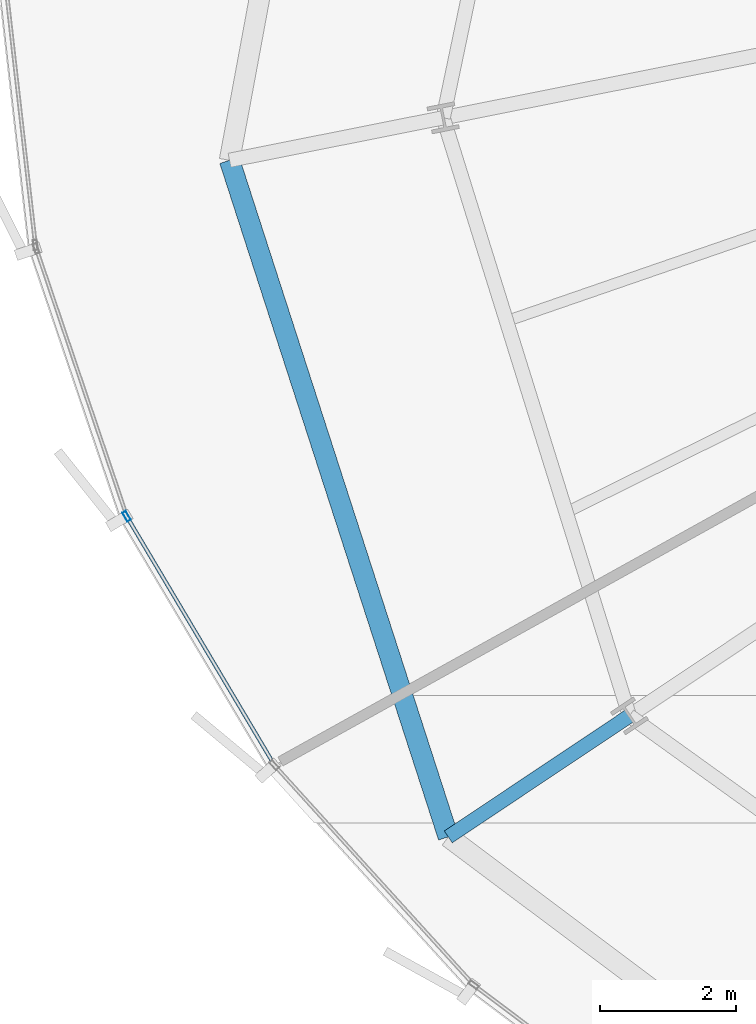
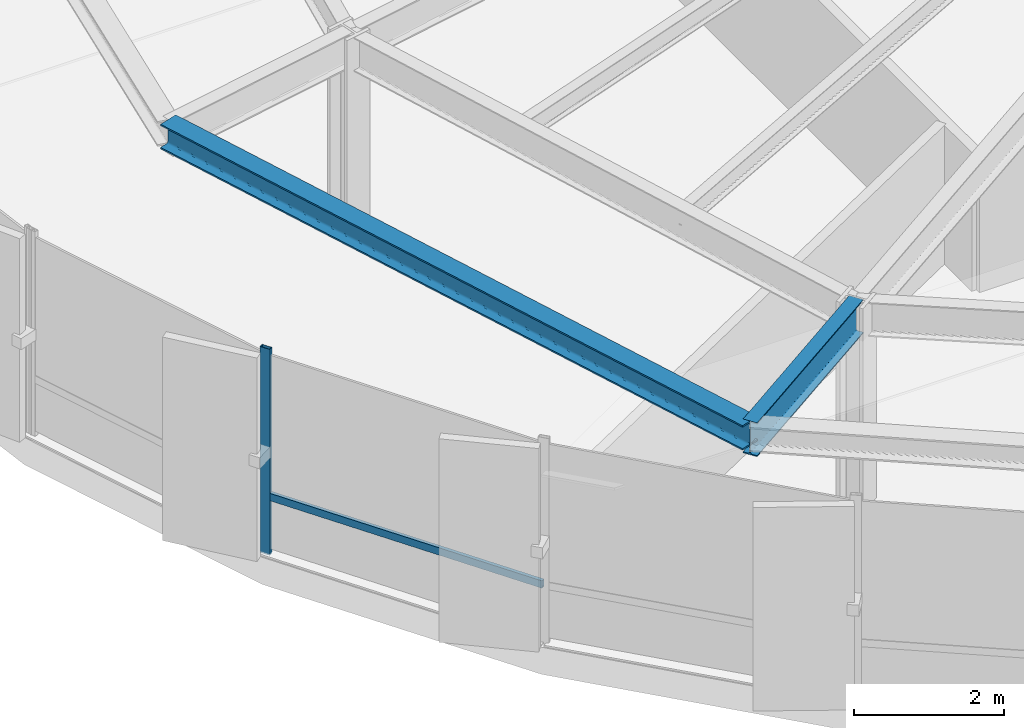
# One storey, part 3 of 35: 2 beams, 2 members, 1 element without a shape of its own.
"""IFC4 building model written with IfcOpenShell, lengths in metres."""

from ifc_helpers import new_model, si_unit, direction, frame, origin, origin_2d, place, context, subcontext, project, spatial, hollow_rectangle, i_section, extrude, source, transform, mapped, material, layer, layer_set, material_profile, profile_set, type_object, element, aggregate, save


model = new_model("IFC4")

# Units and contexts
model_context = context("Model", 3, precision=1e-05, world=origin(), true_north=direction((0.0, 1.0)))
body_context = subcontext(model_context, "Body", "Model", "MODEL_VIEW")
ifc_project = project(units=[si_unit("LENGTHUNIT", "METRE"), si_unit("AREAUNIT", "SQUARE_METRE"), si_unit("VOLUMEUNIT", "CUBIC_METRE"), si_unit("PLANEANGLEUNIT", "RADIAN"), si_unit("MASSUNIT", "GRAM", prefix="KILO"), si_unit("THERMODYNAMICTEMPERATUREUNIT", "KELVIN")], contexts=[model_context])

# Site, building, storey
site_placement = place(None, origin())
site = spatial("IfcSite", under=ifc_project, at=site_placement, CompositionType="ELEMENT")
building_placement = place(site_placement, origin())
building = spatial("IfcBuilding", under=site, at=building_placement, Name="Kethvar Cultural Tower", CompositionType="ELEMENT")
storey_placement = place(building_placement, frame((0.0, 0.0, 85.60009765625)))
storey = spatial("IfcBuildingStorey", under=building, at=storey_placement, Name="L20", CompositionType="ELEMENT", Elevation=85.60009765625)

# Beams
ifc_material_1 = material(Name="Steel S355J2", Category="steel")
ifc_material_profile_1 = material_profile(ifc_material_1, i_section(OverallWidth=0.2099609375, OverallDepth=0.550048828125, WebThickness=0.010986328125, FlangeThickness=0.01708984375, FilletRadius=0.02392578125, at=origin_2d()), Name="Steel S355J2 — IPE550")
ifc_profile_set_1 = profile_set([ifc_material_profile_1], Name="Steel S355J2 — IPE550")
beam_type_1 = type_object("IfcBeamType", Name="BM-IPE550", PredefinedType="BEAM", material=ifc_profile_set_1)
shared_shape_1 = source(origin(), body_context, "Body", "SweptSolid", [
    extrude(i_section(OverallWidth=0.2099609375, OverallDepth=0.550048828125, WebThickness=0.010986328125, FlangeThickness=0.01708984375, FilletRadius=0.02392578125, at=origin_2d()), origin(), (0.0, 0.0, 1.0), 3.199951171875),
])
beam_1_placement = place(storey_placement, frame((26.920654296875, 14.51708984375, 3.072998046875), z_axis=(-0.831462943996, -0.555580212716, 0.0), x_axis=(0.555580212716, -0.831462943996, 0.0)))
element("IfcBeam", 1, at=beam_1_placement, inside=storey, type_object=beam_type_1, Name="L20 Perimeter Cantilever Beam RC-10", PredefinedType="BEAM", context=body_context, shape_type="MappedRepresentation", body=[
    mapped(shared_shape_1, transform((0.0, 0.0, 0.0), scale=1.0)),
])
ifc_material_profile_2 = material_profile(ifc_material_1, i_section(OverallWidth=0.300048828125, OverallDepth=0.39990234375, WebThickness=0.013427734375, FlangeThickness=0.02392578125, FilletRadius=0.027099609375, at=origin_2d()), Name="Steel S355J2 — HEB400")
ifc_profile_set_2 = profile_set([ifc_material_profile_2], Name="Steel S355J2 — HEB400")
beam_type_2 = type_object("IfcBeamType", Name="BM-SP400", PredefinedType="SPANDREL", material=ifc_profile_set_2)
shared_shape_2 = source(origin(), body_context, "Body", "SweptSolid", [
    extrude(i_section(OverallWidth=0.300048828125, OverallDepth=0.39990234375, WebThickness=0.013427734375, FlangeThickness=0.02392578125, FilletRadius=0.027099609375, at=origin_2d()), origin(), (0.0, 0.0, 1.0), 10.44482421875),
])
beam_2_placement = place(storey_placement, frame((21.046875, 22.677490234375, 3.14794921875), z_axis=(0.307631709258, -0.951505507845, 0.0), x_axis=(0.951505507845, 0.307631709258, 0.0)))
element("IfcBeam", 2, at=beam_2_placement, inside=storey, type_object=beam_type_2, Name="L20 Perimeter Spandrel Beam SP-09", PredefinedType="SPANDREL", context=body_context, shape_type="MappedRepresentation", body=[
    mapped(shared_shape_2, transform((0.0, 0.0, 0.0), scale=1.0)),
])

# Curtain wall, members
ifc_material_2 = material(Name="Aluminium 6063-T6", Category="aluminium")
ifc_layer = layer(ifc_material_2, 0.179931640625, Name="Aluminium 6063-T6", Category="aluminium")
ifc_layer_set = layer_set([ifc_layer], Name="Aluminium 6063-T6 (180 mm)")
curtain_wall_type = type_object("IfcCurtainWallType", Name="CW-SYS-03-Z2", PredefinedType="NOTDEFINED", material=ifc_layer_set)
curtain_wall_placement = place(storey_placement, origin())
curtain_wall = element("IfcCurtainWall", 3, at=curtain_wall_placement, inside=storey, type_object=curtain_wall_type, Name="L20 Curtain Wall Run 04", PredefinedType="NOTDEFINED")
ifc_material_profile_3 = material_profile(ifc_material_2, hollow_rectangle(XDim=0.06005859375, YDim=0.14990234375, WallThickness=0.0048828125, at=origin_2d()), Name="Aluminium 6063-T6 — RHS150x60x5")
ifc_profile_set_3 = profile_set([ifc_material_profile_3], Name="Aluminium 6063-T6 — RHS150x60x5")
member_type_1 = type_object("IfcMemberType", Name="CW-SYS-03-Z2-MUL", PredefinedType="MULLION", material=ifc_profile_set_3)
shared_shape_3 = source(origin(), body_context, "Body", "SweptSolid", [
    extrude(hollow_rectangle(XDim=0.06005859375, YDim=0.14990234375, WallThickness=0.0048828125, at=origin_2d()), origin(), (0.0, 0.0, 1.0), 3.349853515625),
])
member_1_placement = place(storey_placement, frame((19.53515625, 17.450439453125, 0.0), z_axis=(0.0, 0.0, 1.0), x_axis=(0.859843360811, 0.510557925087, 0.0)))
member_1 = element("IfcMember", 4, at=member_1_placement, type_object=member_type_1, Name="CW-L20-R04 Mullion 2", PredefinedType="MULLION", context=body_context, shape_type="MappedRepresentation", body=[
    mapped(shared_shape_3, transform((0.0, 0.0, 0.0), scale=1.0)),
])
ifc_material_profile_4 = material_profile(ifc_material_2, hollow_rectangle(XDim=0.054931640625, YDim=0.1201171875, WallThickness=0.00390625, at=origin_2d()), Name="Aluminium 6063-T6 — RHS120x55x4")
ifc_profile_set_4 = profile_set([ifc_material_profile_4], Name="Aluminium 6063-T6 — RHS120x55x4")
member_type_2 = type_object("IfcMemberType", Name="CW-SYS-03-Z2-TRN", PredefinedType="USERDEFINED", material=ifc_profile_set_4)
shared_shape_4 = source(origin(), body_context, "Body", "SweptSolid", [
    extrude(hollow_rectangle(XDim=0.054931640625, YDim=0.1201171875, WallThickness=0.00390625, at=origin_2d()), origin(), (0.0, 0.0, 1.0), 4.18603515625),
])
member_2_placement = place(storey_placement, frame((19.55712890625, 17.413330078125, 0.949951171875), z_axis=(0.510553576792, -0.859845942728, 0.0), x_axis=(0.859845942728, 0.510553576792, 0.0)))
member_2 = element("IfcMember", 5, at=member_2_placement, type_object=member_type_2, Name="CW-L20-R04 Transom 2", ObjectType="TRANSOM", PredefinedType="USERDEFINED", context=body_context, shape_type="MappedRepresentation", body=[
    mapped(shared_shape_4, transform((0.0, 0.0, 0.0), scale=1.0)),
])
aggregate(curtain_wall, [member_1, member_2])

save(model, "model.ifc")
